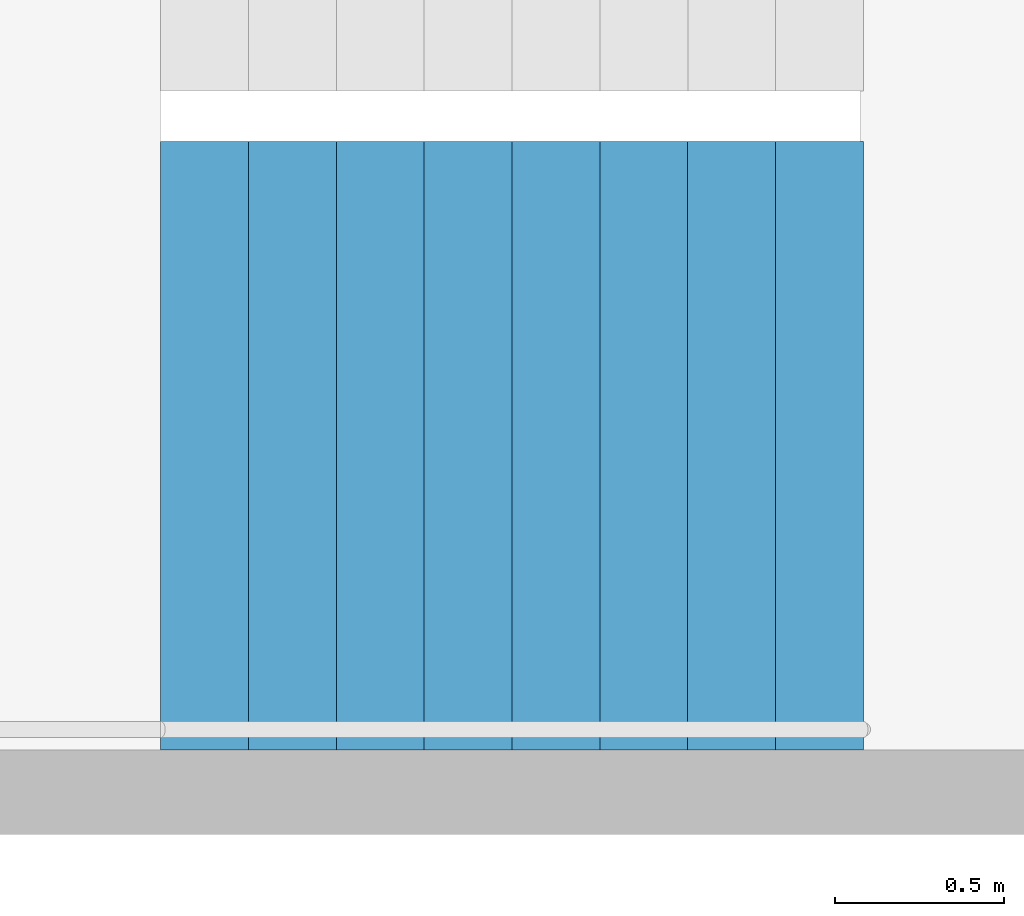
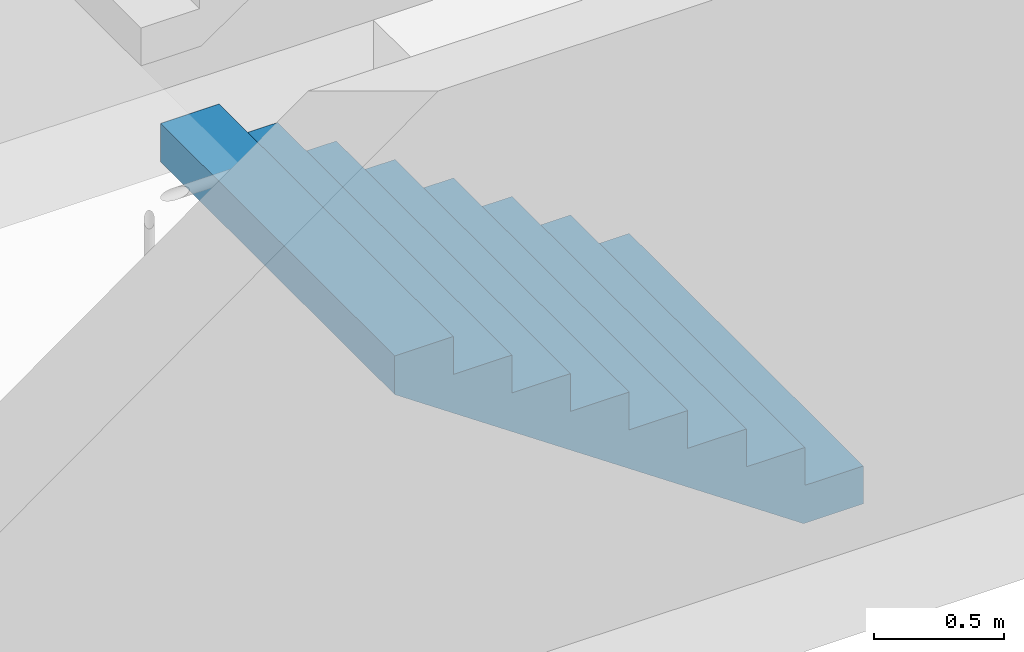
# One storey, part 28 of 37: 1 stair flight, 1 element without a shape of its own.
"""IFC4 building model written with IfcOpenShell, lengths in metres."""

from ifc_helpers import new_model, si_unit, direction, frame, origin, place, context, subcontext, project, spatial, triangles, material, type_object, element, aggregate, save


model = new_model("IFC4")

# Units and contexts
model_context = context("Model", 3, precision=1e-05, world=origin(), true_north=direction((0.0, 1.0)))
body_context = subcontext(model_context, "Body", "Model", "MODEL_VIEW")
ifc_project = project(units=[si_unit("LENGTHUNIT", "METRE"), si_unit("AREAUNIT", "SQUARE_METRE"), si_unit("VOLUMEUNIT", "CUBIC_METRE"), si_unit("PLANEANGLEUNIT", "RADIAN"), si_unit("MASSUNIT", "GRAM", prefix="KILO")], contexts=[model_context])

# Site, building, storey
site_placement = place(None, origin())
site = spatial("IfcSite", under=ifc_project, at=site_placement, CompositionType="ELEMENT")
building_placement = place(site_placement, origin())
building = spatial("IfcBuilding", under=site, at=building_placement, Name="Hakoniwa Tower and Hamabe Station Hall", CompositionType="ELEMENT")
storey_placement = place(building_placement, frame((0.0, 0.0, 39.0)))
storey = spatial("IfcBuildingStorey", under=building, at=storey_placement, Name="L10", CompositionType="ELEMENT", Elevation=39.0)

# Stair, stair flight
ifc_material_1 = material(Name="Concrete C40", Category="concrete")
stair_type = type_object("IfcStairType", Name="ESCAPE STAIR 1800", PredefinedType="HALF_TURN_STAIR", material=ifc_material_1)
stair_placement = place(storey_placement, origin())
stair = element("IfcStair", 1, at=stair_placement, inside=storey, type_object=stair_type, Name="Escape stair ST-3 L10", PredefinedType="HALF_TURN_STAIR")
ifc_material_2 = material(Name="Concrete C40", Category="concrete")
stair_flight_type = type_object("IfcStairFlightType", Name="STAIR FLIGHT 1800", PredefinedType="STRAIGHT", material=ifc_material_2)
stair_flight_placement = place(storey_placement, frame((24.39990234375, 4.64990234375, 0.0), z_axis=(0.0, 0.0, 1.0), x_axis=(-1.0, 0.0, 0.0)))
stair_flight = element("IfcStairFlight", 2, at=stair_flight_placement, type_object=stair_flight_type, Name="ST-3 flight 1", NumberOfRisers=9, NumberOfTreads=8, PredefinedType="STRAIGHT", RiserHeight=0.177777778, TreadLength=0.26, context=body_context, shape_type="Tessellation", body=[
    triangles([(0.0, 0.89990234375, 0.0), (0.260009765625, 0.89990234375, 0.0), (0.265625, 0.89990234375, 0.0), (0.52001953125, 0.89990234375, 0.174072265625), (0.780029296875, 0.89990234375, 0.351806640625), (1.0400390625, 0.89990234375, 0.529541015625), (1.300048828125, 0.89990234375, 0.707275390625), (1.56005859375, 0.89990234375, 0.885009765625), (1.820068359375, 0.89990234375, 1.062744140625), (2.080078125, 0.89990234375, 1.24072265625), (2.080078125, 0.89990234375, 1.422119140625), (1.820068359375, 0.89990234375, 1.422119140625), (1.820068359375, 0.89990234375, 1.244384765625), (1.56005859375, 0.89990234375, 1.244384765625), (1.56005859375, 0.89990234375, 1.066650390625), (1.300048828125, 0.89990234375, 1.066650390625), (1.300048828125, 0.89990234375, 0.888916015625), (1.0400390625, 0.89990234375, 0.888916015625), (1.0400390625, 0.89990234375, 0.711181640625), (0.780029296875, 0.89990234375, 0.711181640625), (0.780029296875, 0.89990234375, 0.533447265625), (0.52001953125, 0.89990234375, 0.533447265625), (0.52001953125, 0.89990234375, 0.35546875), (0.265625, 0.89990234375, 0.35546875), (0.260009765625, 0.89990234375, 0.35546875), (0.260009765625, 0.89990234375, 0.177734375), (0.0, 0.89990234375, 0.177734375), (0.0, 0.06005859375, 0.0), (0.260009765625, 0.06005859375, 0.0), (0.265625, 0.06005859375, 0.0), (0.52001953125, 0.06005859375, 0.174072265625), (0.780029296875, 0.06005859375, 0.351806640625), (1.0400390625, 0.06005859375, 0.529541015625), (1.300048828125, 0.06005859375, 0.707275390625), (1.56005859375, 0.06005859375, 0.885009765625), (1.820068359375, 0.06005859375, 1.062744140625), (2.080078125, 0.06005859375, 1.24072265625), (2.080078125, 0.06005859375, 1.422119140625), (1.820068359375, 0.06005859375, 1.422119140625), (1.820068359375, 0.06005859375, 1.244384765625), (1.56005859375, 0.06005859375, 1.244384765625), (1.56005859375, 0.06005859375, 1.066650390625), (1.300048828125, 0.06005859375, 1.066650390625), (1.300048828125, 0.06005859375, 0.888916015625), (1.0400390625, 0.06005859375, 0.888916015625), (1.0400390625, 0.06005859375, 0.711181640625), (0.780029296875, 0.06005859375, 0.711181640625), (0.780029296875, 0.06005859375, 0.533447265625), (0.52001953125, 0.06005859375, 0.533447265625), (0.52001953125, 0.06005859375, 0.35546875), (0.265625, 0.06005859375, 0.35546875), (0.260009765625, 0.06005859375, 0.35546875), (0.260009765625, 0.06005859375, 0.177734375), (0.0, 0.06005859375, 0.177734375), (0.0, 0.04296875, 0.0), (0.260009765625, 0.04296875, 0.0), (0.265625, 0.04296875, 0.0), (0.52001953125, 0.04296875, 0.174072265625), (0.780029296875, 0.04296875, 0.351806640625), (1.0400390625, 0.04296875, 0.529541015625), (1.300048828125, 0.04296875, 0.707275390625), (1.56005859375, 0.04296875, 0.885009765625), (1.820068359375, 0.04296875, 1.062744140625), (2.080078125, 0.04296875, 1.24072265625), (2.080078125, 0.04296875, 1.422119140625), (1.820068359375, 0.04296875, 1.422119140625), (1.820068359375, 0.04296875, 1.244384765625), (1.56005859375, 0.04296875, 1.244384765625), (1.56005859375, 0.04296875, 1.066650390625), (1.300048828125, 0.04296875, 1.066650390625), (1.300048828125, 0.04296875, 0.888916015625), (1.0400390625, 0.04296875, 0.888916015625), (1.0400390625, 0.04296875, 0.711181640625), (0.780029296875, 0.04296875, 0.711181640625), (0.780029296875, 0.04296875, 0.533447265625), (0.52001953125, 0.04296875, 0.533447265625), (0.52001953125, 0.04296875, 0.35546875), (0.265625, 0.04296875, 0.35546875), (0.260009765625, 0.04296875, 0.35546875), (0.260009765625, 0.04296875, 0.177734375), (0.0, 0.04296875, 0.177734375), (0.0, 0.025634765625, 0.0), (0.260009765625, 0.025634765625, 0.0), (0.265625, 0.025634765625, 0.0), (0.52001953125, 0.025634765625, 0.174072265625), (0.780029296875, 0.025634765625, 0.351806640625), (1.0400390625, 0.025634765625, 0.529541015625), (1.300048828125, 0.025634765625, 0.707275390625), (1.56005859375, 0.025634765625, 0.885009765625), (1.820068359375, 0.025634765625, 1.062744140625), (2.080078125, 0.025634765625, 1.24072265625), (2.080078125, 0.025634765625, 1.422119140625), (1.820068359375, 0.025634765625, 1.422119140625), (1.820068359375, 0.025634765625, 1.244384765625), (1.56005859375, 0.025634765625, 1.244384765625), (1.56005859375, 0.025634765625, 1.066650390625), (1.300048828125, 0.025634765625, 1.066650390625), (1.300048828125, 0.025634765625, 0.888916015625), (1.0400390625, 0.025634765625, 0.888916015625), (1.0400390625, 0.025634765625, 0.711181640625), (0.780029296875, 0.025634765625, 0.711181640625), (0.780029296875, 0.025634765625, 0.533447265625), (0.52001953125, 0.025634765625, 0.533447265625), (0.52001953125, 0.025634765625, 0.35546875), (0.265625, 0.025634765625, 0.35546875), (0.260009765625, 0.025634765625, 0.35546875), (0.260009765625, 0.025634765625, 0.177734375), (0.0, 0.025634765625, 0.177734375), (0.0, 0.008544921875, 0.0), (0.260009765625, 0.008544921875, 0.0), (0.265625, 0.008544921875, 0.0), (0.52001953125, 0.008544921875, 0.174072265625), (0.780029296875, 0.008544921875, 0.351806640625), (1.0400390625, 0.008544921875, 0.529541015625), (1.300048828125, 0.008544921875, 0.707275390625), (1.56005859375, 0.008544921875, 0.885009765625), (1.820068359375, 0.008544921875, 1.062744140625), (2.080078125, 0.008544921875, 1.24072265625), (2.080078125, 0.008544921875, 1.422119140625), (1.820068359375, 0.008544921875, 1.422119140625), (1.820068359375, 0.008544921875, 1.244384765625), (1.56005859375, 0.008544921875, 1.244384765625), (1.56005859375, 0.008544921875, 1.066650390625), (1.300048828125, 0.008544921875, 1.066650390625), (1.300048828125, 0.008544921875, 0.888916015625), (1.0400390625, 0.008544921875, 0.888916015625), (1.0400390625, 0.008544921875, 0.711181640625), (0.780029296875, 0.008544921875, 0.711181640625), (0.780029296875, 0.008544921875, 0.533447265625), (0.52001953125, 0.008544921875, 0.533447265625), (0.52001953125, 0.008544921875, 0.35546875), (0.265625, 0.008544921875, 0.35546875), (0.260009765625, 0.008544921875, 0.35546875), (0.260009765625, 0.008544921875, 0.177734375), (0.0, 0.008544921875, 0.177734375), (0.0, -0.008544921875, 0.0), (0.260009765625, -0.008544921875, 0.0), (0.265625, -0.008544921875, 0.0), (0.52001953125, -0.008544921875, 0.174072265625), (0.780029296875, -0.008544921875, 0.351806640625), (1.0400390625, -0.008544921875, 0.529541015625), (1.300048828125, -0.008544921875, 0.707275390625), (1.56005859375, -0.008544921875, 0.885009765625), (1.820068359375, -0.008544921875, 1.062744140625), (2.080078125, -0.008544921875, 1.24072265625), (2.080078125, -0.008544921875, 1.422119140625), (1.820068359375, -0.008544921875, 1.422119140625), (1.820068359375, -0.008544921875, 1.244384765625), (1.56005859375, -0.008544921875, 1.244384765625), (1.56005859375, -0.008544921875, 1.066650390625), (1.300048828125, -0.008544921875, 1.066650390625), (1.300048828125, -0.008544921875, 0.888916015625), (1.0400390625, -0.008544921875, 0.888916015625), (1.0400390625, -0.008544921875, 0.711181640625), (0.780029296875, -0.008544921875, 0.711181640625), (0.780029296875, -0.008544921875, 0.533447265625), (0.52001953125, -0.008544921875, 0.533447265625), (0.52001953125, -0.008544921875, 0.35546875), (0.265625, -0.008544921875, 0.35546875), (0.260009765625, -0.008544921875, 0.35546875), (0.260009765625, -0.008544921875, 0.177734375), (0.0, -0.008544921875, 0.177734375), (0.0, -0.025634765625, 0.0), (0.260009765625, -0.025634765625, 0.0), (0.265625, -0.025634765625, 0.0), (0.52001953125, -0.025634765625, 0.174072265625), (0.780029296875, -0.025634765625, 0.351806640625), (1.0400390625, -0.025634765625, 0.529541015625), (1.300048828125, -0.025634765625, 0.707275390625), (1.56005859375, -0.025634765625, 0.885009765625), (1.820068359375, -0.025634765625, 1.062744140625), (2.080078125, -0.025634765625, 1.24072265625), (2.080078125, -0.025634765625, 1.422119140625), (1.820068359375, -0.025634765625, 1.422119140625), (1.820068359375, -0.025634765625, 1.244384765625), (1.56005859375, -0.025634765625, 1.244384765625), (1.56005859375, -0.025634765625, 1.066650390625), (1.300048828125, -0.025634765625, 1.066650390625), (1.300048828125, -0.025634765625, 0.888916015625), (1.0400390625, -0.025634765625, 0.888916015625), (1.0400390625, -0.025634765625, 0.711181640625), (0.780029296875, -0.025634765625, 0.711181640625), (0.780029296875, -0.025634765625, 0.533447265625), (0.52001953125, -0.025634765625, 0.533447265625), (0.52001953125, -0.025634765625, 0.35546875), (0.265625, -0.025634765625, 0.35546875), (0.260009765625, -0.025634765625, 0.35546875), (0.260009765625, -0.025634765625, 0.177734375), (0.0, -0.025634765625, 0.177734375), (0.0, -0.04296875, 0.0), (0.260009765625, -0.04296875, 0.0), (0.265625, -0.04296875, 0.0), (0.52001953125, -0.04296875, 0.174072265625), (0.780029296875, -0.04296875, 0.351806640625), (1.0400390625, -0.04296875, 0.529541015625), (1.300048828125, -0.04296875, 0.707275390625), (1.56005859375, -0.04296875, 0.885009765625), (1.820068359375, -0.04296875, 1.062744140625), (2.080078125, -0.04296875, 1.24072265625), (2.080078125, -0.04296875, 1.422119140625), (1.820068359375, -0.04296875, 1.422119140625), (1.820068359375, -0.04296875, 1.244384765625), (1.56005859375, -0.04296875, 1.244384765625), (1.56005859375, -0.04296875, 1.066650390625), (1.300048828125, -0.04296875, 1.066650390625), (1.300048828125, -0.04296875, 0.888916015625), (1.0400390625, -0.04296875, 0.888916015625), (1.0400390625, -0.04296875, 0.711181640625), (0.780029296875, -0.04296875, 0.711181640625), (0.780029296875, -0.04296875, 0.533447265625), (0.52001953125, -0.04296875, 0.533447265625), (0.52001953125, -0.04296875, 0.35546875), (0.265625, -0.04296875, 0.35546875), (0.260009765625, -0.04296875, 0.35546875), (0.260009765625, -0.04296875, 0.177734375), (0.0, -0.04296875, 0.177734375), (0.0, -0.06005859375, 0.0), (0.260009765625, -0.06005859375, 0.0), (0.265625, -0.06005859375, 0.0), (0.52001953125, -0.06005859375, 0.174072265625), (0.780029296875, -0.06005859375, 0.351806640625), (1.0400390625, -0.06005859375, 0.529541015625), (1.300048828125, -0.06005859375, 0.707275390625), (1.56005859375, -0.06005859375, 0.885009765625), (1.820068359375, -0.06005859375, 1.062744140625), (2.080078125, -0.06005859375, 1.24072265625), (2.080078125, -0.06005859375, 1.422119140625), (1.820068359375, -0.06005859375, 1.422119140625), (1.820068359375, -0.06005859375, 1.244384765625), (1.56005859375, -0.06005859375, 1.244384765625), (1.56005859375, -0.06005859375, 1.066650390625), (1.300048828125, -0.06005859375, 1.066650390625), (1.300048828125, -0.06005859375, 0.888916015625), (1.0400390625, -0.06005859375, 0.888916015625), (1.0400390625, -0.06005859375, 0.711181640625), (0.780029296875, -0.06005859375, 0.711181640625), (0.780029296875, -0.06005859375, 0.533447265625), (0.52001953125, -0.06005859375, 0.533447265625), (0.52001953125, -0.06005859375, 0.35546875), (0.265625, -0.06005859375, 0.35546875), (0.260009765625, -0.06005859375, 0.35546875), (0.260009765625, -0.06005859375, 0.177734375), (0.0, -0.06005859375, 0.177734375), (0.0, -0.89990234375, 0.0), (0.260009765625, -0.89990234375, 0.0), (0.265625, -0.89990234375, 0.0), (0.52001953125, -0.89990234375, 0.174072265625), (0.780029296875, -0.89990234375, 0.351806640625), (1.0400390625, -0.89990234375, 0.529541015625), (1.300048828125, -0.89990234375, 0.707275390625), (1.56005859375, -0.89990234375, 0.885009765625), (1.820068359375, -0.89990234375, 1.062744140625), (2.080078125, -0.89990234375, 1.24072265625), (2.080078125, -0.89990234375, 1.422119140625), (1.820068359375, -0.89990234375, 1.422119140625), (1.820068359375, -0.89990234375, 1.244384765625), (1.56005859375, -0.89990234375, 1.244384765625), (1.56005859375, -0.89990234375, 1.066650390625), (1.300048828125, -0.89990234375, 1.066650390625), (1.300048828125, -0.89990234375, 0.888916015625), (1.0400390625, -0.89990234375, 0.888916015625), (1.0400390625, -0.89990234375, 0.711181640625), (0.780029296875, -0.89990234375, 0.711181640625), (0.780029296875, -0.89990234375, 0.533447265625), (0.52001953125, -0.89990234375, 0.533447265625), (0.52001953125, -0.89990234375, 0.35546875), (0.265625, -0.89990234375, 0.35546875), (0.260009765625, -0.89990234375, 0.35546875), (0.260009765625, -0.89990234375, 0.177734375), (0.0, -0.89990234375, 0.177734375)], [[2, 27, 26], [245, 269, 270], [2, 1, 27], [245, 270, 244], [3, 25, 24], [246, 267, 268], [3, 26, 25], [246, 268, 269], [3, 2, 26], [246, 269, 245], [4, 24, 23], [247, 266, 267], [4, 3, 24], [247, 267, 246], [5, 22, 21], [248, 264, 265], [5, 23, 22], [248, 265, 266], [5, 4, 23], [248, 266, 247], [6, 20, 19], [249, 262, 263], [6, 21, 20], [249, 263, 264], [6, 5, 21], [249, 264, 248], [7, 18, 17], [250, 260, 261], [7, 19, 18], [250, 261, 262], [7, 6, 19], [250, 262, 249], [8, 16, 15], [251, 258, 259], [8, 17, 16], [251, 259, 260], [8, 7, 17], [251, 260, 250], [9, 14, 13], [252, 256, 257], [9, 15, 14], [252, 257, 258], [9, 8, 15], [252, 258, 251], [10, 12, 11], [253, 254, 255], [10, 13, 12], [253, 255, 256], [10, 9, 13], [253, 256, 252], [1, 2, 29], [1, 29, 28], [28, 29, 56], [28, 56, 55], [55, 56, 83], [55, 83, 82], [82, 83, 110], [82, 110, 109], [109, 110, 137], [109, 137, 136], [136, 137, 164], [136, 164, 163], [163, 164, 191], [163, 191, 190], [190, 191, 218], [190, 218, 217], [217, 218, 245], [217, 245, 244], [2, 3, 30], [2, 30, 29], [29, 30, 57], [29, 57, 56], [56, 57, 84], [56, 84, 83], [83, 84, 111], [83, 111, 110], [110, 111, 138], [110, 138, 137], [137, 138, 165], [137, 165, 164], [164, 165, 192], [164, 192, 191], [191, 192, 219], [191, 219, 218], [218, 219, 246], [218, 246, 245], [3, 4, 31], [3, 31, 30], [30, 31, 58], [30, 58, 57], [57, 58, 85], [57, 85, 84], [84, 85, 112], [84, 112, 111], [111, 112, 139], [111, 139, 138], [138, 139, 166], [138, 166, 165], [165, 166, 193], [165, 193, 192], [192, 193, 220], [192, 220, 219], [219, 220, 247], [219, 247, 246], [4, 5, 32], [4, 32, 31], [31, 32, 59], [31, 59, 58], [58, 59, 86], [58, 86, 85], [85, 86, 113], [85, 113, 112], [112, 113, 140], [112, 140, 139], [139, 140, 167], [139, 167, 166], [166, 167, 194], [166, 194, 193], [193, 194, 221], [193, 221, 220], [220, 221, 248], [220, 248, 247], [5, 6, 33], [5, 33, 32], [32, 33, 60], [32, 60, 59], [59, 60, 87], [59, 87, 86], [86, 87, 114], [86, 114, 113], [113, 114, 141], [113, 141, 140], [140, 141, 168], [140, 168, 167], [167, 168, 195], [167, 195, 194], [194, 195, 222], [194, 222, 221], [221, 222, 249], [221, 249, 248], [6, 7, 34], [6, 34, 33], [33, 34, 61], [33, 61, 60], [60, 61, 88], [60, 88, 87], [87, 88, 115], [87, 115, 114], [114, 115, 142], [114, 142, 141], [141, 142, 169], [141, 169, 168], [168, 169, 196], [168, 196, 195], [195, 196, 223], [195, 223, 222], [222, 223, 250], [222, 250, 249], [7, 8, 35], [7, 35, 34], [34, 35, 62], [34, 62, 61], [61, 62, 89], [61, 89, 88], [88, 89, 116], [88, 116, 115], [115, 116, 143], [115, 143, 142], [142, 143, 170], [142, 170, 169], [169, 170, 197], [169, 197, 196], [196, 197, 224], [196, 224, 223], [223, 224, 251], [223, 251, 250], [8, 9, 36], [8, 36, 35], [35, 36, 63], [35, 63, 62], [62, 63, 90], [62, 90, 89], [89, 90, 117], [89, 117, 116], [116, 117, 144], [116, 144, 143], [143, 144, 171], [143, 171, 170], [170, 171, 198], [170, 198, 197], [197, 198, 225], [197, 225, 224], [224, 225, 252], [224, 252, 251], [9, 10, 37], [9, 37, 36], [36, 37, 64], [36, 64, 63], [63, 64, 91], [63, 91, 90], [90, 91, 118], [90, 118, 117], [117, 118, 145], [117, 145, 144], [144, 145, 172], [144, 172, 171], [171, 172, 199], [171, 199, 198], [198, 199, 226], [198, 226, 225], [225, 226, 253], [225, 253, 252], [10, 11, 38], [10, 38, 37], [37, 38, 65], [37, 65, 64], [64, 65, 92], [64, 92, 91], [91, 92, 119], [91, 119, 118], [118, 119, 146], [118, 146, 145], [145, 146, 173], [145, 173, 172], [172, 173, 200], [172, 200, 199], [199, 200, 227], [199, 227, 226], [226, 227, 254], [226, 254, 253], [11, 12, 39], [11, 39, 38], [38, 39, 66], [38, 66, 65], [65, 66, 93], [65, 93, 92], [92, 93, 120], [92, 120, 119], [119, 120, 147], [119, 147, 146], [146, 147, 174], [146, 174, 173], [173, 174, 201], [173, 201, 200], [200, 201, 228], [200, 228, 227], [227, 228, 255], [227, 255, 254], [12, 13, 40], [12, 40, 39], [39, 40, 67], [39, 67, 66], [66, 67, 94], [66, 94, 93], [93, 94, 121], [93, 121, 120], [120, 121, 148], [120, 148, 147], [147, 148, 175], [147, 175, 174], [174, 175, 202], [174, 202, 201], [201, 202, 229], [201, 229, 228], [228, 229, 256], [228, 256, 255], [13, 14, 41], [13, 41, 40], [40, 41, 68], [40, 68, 67], [67, 68, 95], [67, 95, 94], [94, 95, 122], [94, 122, 121], [121, 122, 149], [121, 149, 148], [148, 149, 176], [148, 176, 175], [175, 176, 203], [175, 203, 202], [202, 203, 230], [202, 230, 229], [229, 230, 257], [229, 257, 256], [14, 15, 42], [14, 42, 41], [41, 42, 69], [41, 69, 68], [68, 69, 96], [68, 96, 95], [95, 96, 123], [95, 123, 122], [122, 123, 150], [122, 150, 149], [149, 150, 177], [149, 177, 176], [176, 177, 204], [176, 204, 203], [203, 204, 231], [203, 231, 230], [230, 231, 258], [230, 258, 257], [15, 16, 43], [15, 43, 42], [42, 43, 70], [42, 70, 69], [69, 70, 97], [69, 97, 96], [96, 97, 124], [96, 124, 123], [123, 124, 151], [123, 151, 150], [150, 151, 178], [150, 178, 177], [177, 178, 205], [177, 205, 204], [204, 205, 232], [204, 232, 231], [231, 232, 259], [231, 259, 258], [16, 17, 44], [16, 44, 43], [43, 44, 71], [43, 71, 70], [70, 71, 98], [70, 98, 97], [97, 98, 125], [97, 125, 124], [124, 125, 152], [124, 152, 151], [151, 152, 179], [151, 179, 178], [178, 179, 206], [178, 206, 205], [205, 206, 233], [205, 233, 232], [232, 233, 260], [232, 260, 259], [17, 18, 45], [17, 45, 44], [44, 45, 72], [44, 72, 71], [71, 72, 99], [71, 99, 98], [98, 99, 126], [98, 126, 125], [125, 126, 153], [125, 153, 152], [152, 153, 180], [152, 180, 179], [179, 180, 207], [179, 207, 206], [206, 207, 234], [206, 234, 233], [233, 234, 261], [233, 261, 260], [18, 19, 46], [18, 46, 45], [45, 46, 73], [45, 73, 72], [72, 73, 100], [72, 100, 99], [99, 100, 127], [99, 127, 126], [126, 127, 154], [126, 154, 153], [153, 154, 181], [153, 181, 180], [180, 181, 208], [180, 208, 207], [207, 208, 235], [207, 235, 234], [234, 235, 262], [234, 262, 261], [19, 20, 47], [19, 47, 46], [46, 47, 74], [46, 74, 73], [73, 74, 101], [73, 101, 100], [100, 101, 128], [100, 128, 127], [127, 128, 155], [127, 155, 154], [154, 155, 182], [154, 182, 181], [181, 182, 209], [181, 209, 208], [208, 209, 236], [208, 236, 235], [235, 236, 263], [235, 263, 262], [20, 21, 48], [20, 48, 47], [47, 48, 75], [47, 75, 74], [74, 75, 102], [74, 102, 101], [101, 102, 129], [101, 129, 128], [128, 129, 156], [128, 156, 155], [155, 156, 183], [155, 183, 182], [182, 183, 210], [182, 210, 209], [209, 210, 237], [209, 237, 236], [236, 237, 264], [236, 264, 263], [21, 22, 49], [21, 49, 48], [48, 49, 76], [48, 76, 75], [75, 76, 103], [75, 103, 102], [102, 103, 130], [102, 130, 129], [129, 130, 157], [129, 157, 156], [156, 157, 184], [156, 184, 183], [183, 184, 211], [183, 211, 210], [210, 211, 238], [210, 238, 237], [237, 238, 265], [237, 265, 264], [22, 23, 50], [22, 50, 49], [49, 50, 77], [49, 77, 76], [76, 77, 104], [76, 104, 103], [103, 104, 131], [103, 131, 130], [130, 131, 158], [130, 158, 157], [157, 158, 185], [157, 185, 184], [184, 185, 212], [184, 212, 211], [211, 212, 239], [211, 239, 238], [238, 239, 266], [238, 266, 265], [23, 24, 51], [23, 51, 50], [50, 51, 78], [50, 78, 77], [77, 78, 105], [77, 105, 104], [104, 105, 132], [104, 132, 131], [131, 132, 159], [131, 159, 158], [158, 159, 186], [158, 186, 185], [185, 186, 213], [185, 213, 212], [212, 213, 240], [212, 240, 239], [239, 240, 267], [239, 267, 266], [24, 25, 52], [24, 52, 51], [51, 52, 79], [51, 79, 78], [78, 79, 106], [78, 106, 105], [105, 106, 133], [105, 133, 132], [132, 133, 160], [132, 160, 159], [159, 160, 187], [159, 187, 186], [186, 187, 214], [186, 214, 213], [213, 214, 241], [213, 241, 240], [240, 241, 268], [240, 268, 267], [25, 26, 53], [25, 53, 52], [52, 53, 80], [52, 80, 79], [79, 80, 107], [79, 107, 106], [106, 107, 134], [106, 134, 133], [133, 134, 161], [133, 161, 160], [160, 161, 188], [160, 188, 187], [187, 188, 215], [187, 215, 214], [214, 215, 242], [214, 242, 241], [241, 242, 269], [241, 269, 268], [26, 27, 54], [26, 54, 53], [53, 54, 81], [53, 81, 80], [80, 81, 108], [80, 108, 107], [107, 108, 135], [107, 135, 134], [134, 135, 162], [134, 162, 161], [161, 162, 189], [161, 189, 188], [188, 189, 216], [188, 216, 215], [215, 216, 243], [215, 243, 242], [242, 243, 270], [242, 270, 269], [27, 1, 28], [27, 28, 54], [54, 28, 55], [54, 55, 81], [81, 55, 82], [81, 82, 108], [108, 82, 109], [108, 109, 135], [135, 109, 136], [135, 136, 162], [162, 136, 163], [162, 163, 189], [189, 163, 190], [189, 190, 216], [216, 190, 217], [216, 217, 243], [243, 217, 244], [243, 244, 270]], closed=True),
])
aggregate(stair, [stair_flight])

save(model, "model.ifc")
